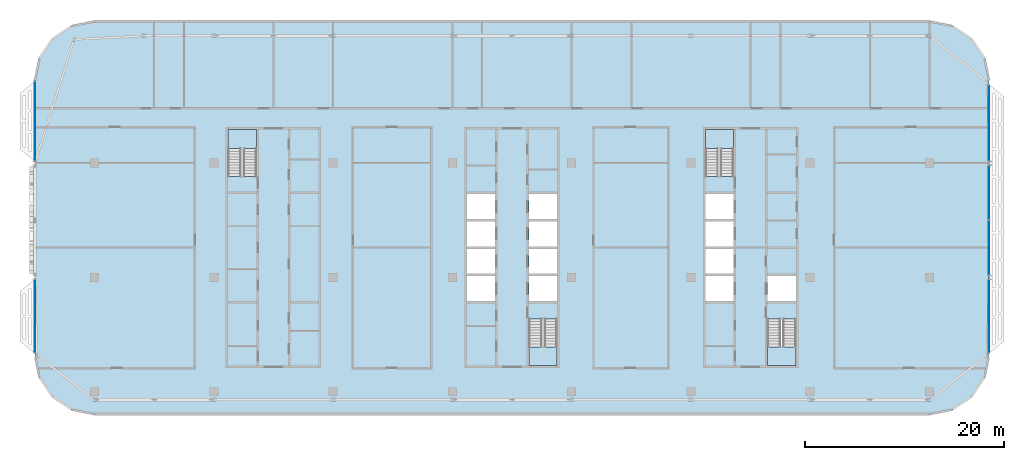
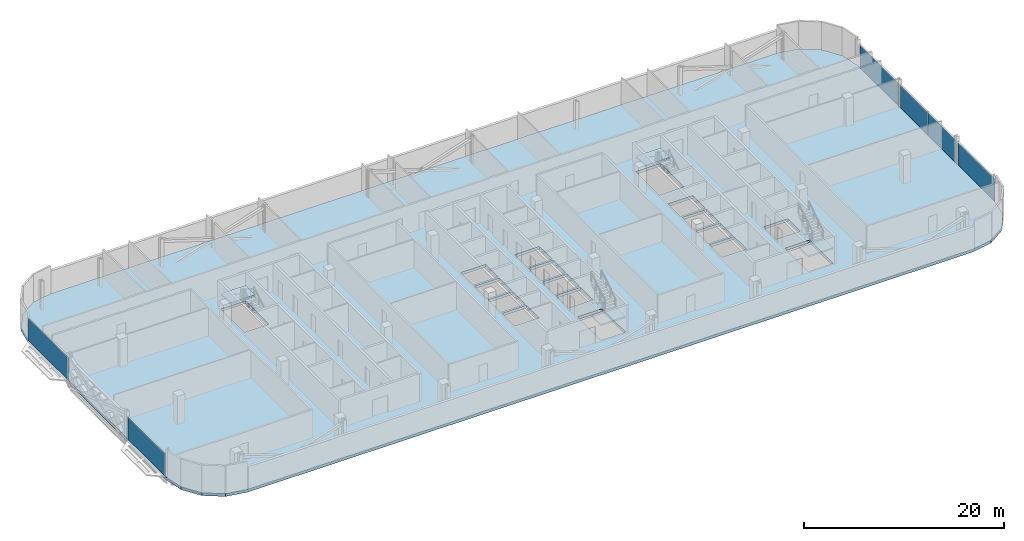
# One storey, part 12 of 28: 6 plates, 5 slabs, 9 elements without a shape of their own.
"""IFC4 building model written with IfcOpenShell, lengths in metres."""

from ifc_helpers import new_model, si_unit, direction, frame, origin, origin_2d, place, context, subcontext, project, spatial, polyline, rectangle, outline, extrude, material, layer, layer_set, type_object, element, aggregate, save


model = new_model("IFC4")

# Units and contexts
model_context = context("Model", 3, precision=1e-05, world=origin(), true_north=direction((0.0, 1.0)))
body_context = subcontext(model_context, "Body", "Model", "MODEL_VIEW")
ifc_project = project(units=[si_unit("LENGTHUNIT", "METRE"), si_unit("AREAUNIT", "SQUARE_METRE"), si_unit("VOLUMEUNIT", "CUBIC_METRE"), si_unit("PLANEANGLEUNIT", "RADIAN"), si_unit("MASSUNIT", "GRAM", prefix="KILO")], contexts=[model_context])

# Site, building, storey
site_placement = place(None, origin())
site = spatial("IfcSite", under=ifc_project, at=site_placement, CompositionType="ELEMENT")
building_placement = place(site_placement, origin())
building = spatial("IfcBuilding", under=site, at=building_placement, Name="Mahtab Terrace Research Tower", CompositionType="ELEMENT")
storey_placement = place(building_placement, frame((0.0, 0.0, 267.10009765625)))
storey = spatial("IfcBuildingStorey", under=building, at=storey_placement, Name="L65", CompositionType="ELEMENT", Elevation=267.10009765625)

# Stair, slab
ifc_material_1 = material(Name="Exit stair half-turn")
stair_type = type_object("IfcStairType", Name="Exit stair half-turn", PredefinedType="HALF_TURN_STAIR", material=ifc_material_1)
stair_1_placement = place(storey_placement, origin())
stair_1 = element("IfcStair", 1, at=stair_1_placement, inside=storey, type_object=stair_type, Name="L65 Protected exit stair ST1", PredefinedType="HALF_TURN_STAIR")
ifc_material_2 = material(Name="Concrete C40/50", Category="concrete")
ifc_layer_1 = layer(ifc_material_2, 0.199951171875)
ifc_layer_set_1 = layer_set([ifc_layer_1], Name="Exit stair landing 200")
slab_type_1 = type_object("IfcSlabType", Name="Exit stair landing 200", PredefinedType="LANDING", material=ifc_layer_set_1)
slab_1_placement = place(storey_placement, frame((0.0, 0.0, 1.699951171875)))
slab_1 = element("IfcSlab", 2, at=slab_1_placement, type_object=slab_type_1, Name="ST1 landing 1", PredefinedType="LANDING", context=body_context, shape_type="SweptSolid", body=[
    extrude(outline(polyline([(-25.699951171875, 12.97509765625), (-25.699951171875, 14.875), (-28.550048828125, 14.875), (-28.550048828125, 12.97509765625), (-25.699951171875, 12.97509765625)])), origin(), (0.0, 0.0, 1.0), 0.199951171875),
])
aggregate(stair_1, [slab_1])

stair_2_placement = place(storey_placement, origin())
stair_2 = element("IfcStair", 3, at=stair_2_placement, inside=storey, type_object=stair_type, Name="L65 Protected exit stair ST2", PredefinedType="HALF_TURN_STAIR")
slab_2_placement = place(storey_placement, frame((0.0, 0.0, 1.699951171875)))
slab_2 = element("IfcSlab", 4, at=slab_2_placement, type_object=slab_type_1, Name="ST2 landing 1", PredefinedType="LANDING", context=body_context, shape_type="SweptSolid", body=[
    extrude(outline(polyline([(1.699951171875, -6.97509765625), (1.699951171875, -8.875), (4.550048828125, -8.875), (4.550048828125, -6.97509765625), (1.699951171875, -6.97509765625)])), origin(), (0.0, 0.0, 1.0), 0.199951171875),
])
aggregate(stair_2, [slab_2])

stair_3_placement = place(storey_placement, origin())
stair_3 = element("IfcStair", 5, at=stair_3_placement, inside=storey, type_object=stair_type, Name="L65 Protected exit stair ST3", PredefinedType="HALF_TURN_STAIR")
slab_3_placement = place(storey_placement, frame((0.0, 0.0, 1.699951171875)))
slab_3 = element("IfcSlab", 6, at=slab_3_placement, type_object=slab_type_1, Name="ST3 landing 1", PredefinedType="LANDING", context=body_context, shape_type="SweptSolid", body=[
    extrude(outline(polyline([(22.300048828125, 12.97509765625), (22.300048828125, 14.875), (19.449951171875, 14.875), (19.449951171875, 12.97509765625), (22.300048828125, 12.97509765625)])), origin(), (0.0, 0.0, 1.0), 0.199951171875),
])
aggregate(stair_3, [slab_3])

stair_4_placement = place(storey_placement, origin())
stair_4 = element("IfcStair", 7, at=stair_4_placement, inside=storey, type_object=stair_type, Name="L65 Protected exit stair ST4", PredefinedType="HALF_TURN_STAIR")
slab_4_placement = place(storey_placement, frame((0.0, 0.0, 1.699951171875)))
slab_4 = element("IfcSlab", 8, at=slab_4_placement, type_object=slab_type_1, Name="ST4 landing 1", PredefinedType="LANDING", context=body_context, shape_type="SweptSolid", body=[
    extrude(outline(polyline([(25.699951171875, -6.97509765625), (25.699951171875, -8.875), (28.550048828125, -8.875), (28.550048828125, -6.97509765625), (25.699951171875, -6.97509765625)])), origin(), (0.0, 0.0, 1.0), 0.199951171875),
])
aggregate(stair_4, [slab_4])

# Curtain wall, plate
ifc_material_3 = material(Name="Office ribbon curtain wall")
curtain_wall_type = type_object("IfcCurtainWallType", Name="Office ribbon curtain wall", PredefinedType="NOTDEFINED", material=ifc_material_3)
curtain_wall_1_placement = place(storey_placement, origin())
curtain_wall_1 = element("IfcCurtainWall", 9, at=curtain_wall_1_placement, inside=storey, type_object=curtain_wall_type, Name="EN.L65.8.8", PredefinedType="NOTDEFINED")
ifc_material_4 = material(Name="Dark glazing", Category="glass")
ifc_layer_2 = layer(ifc_material_4, 0.030029296875)
ifc_layer_set_2 = layer_set([ifc_layer_2], Name="Office ribbon curtain wall glazing panel")
plate_type = type_object("IfcPlateType", Name="Office ribbon curtain wall glazing panel", PredefinedType="CURTAIN_PANEL", material=ifc_layer_set_2)
plate_1_placement = place(storey_placement, frame((-48.0, 15.719482421875, 0.0), z_axis=(0.0, 0.0, 1.0), x_axis=(0.0, -1.0, 0.0)))
plate_1 = element("IfcPlate", 10, at=plate_1_placement, type_object=plate_type, Name="CWO-8 panel 1", PredefinedType="CURTAIN_PANEL", context=body_context, shape_type="SweptSolid", body=[
    extrude(rectangle(XDim=7.943115234375, YDim=0.030029296875, at=origin_2d()), origin(), (0.0, 0.0, 1.0), 2.7529296875),
])
aggregate(curtain_wall_1, [plate_1])

curtain_wall_2_placement = place(storey_placement, origin())
curtain_wall_2 = element("IfcCurtainWall", 11, at=curtain_wall_2_placement, inside=storey, type_object=curtain_wall_type, Name="EN.L65.8.10", PredefinedType="NOTDEFINED")
plate_2_placement = place(storey_placement, frame((-48.0, -3.924072265625, 0.0), z_axis=(0.0, 0.0, 1.0), x_axis=(0.0, -1.0, 0.0)))
plate_2 = element("IfcPlate", 12, at=plate_2_placement, type_object=plate_type, Name="CWO-8 panel 1", PredefinedType="CURTAIN_PANEL", context=body_context, shape_type="SweptSolid", body=[
    extrude(rectangle(XDim=7.35205078125, YDim=0.030029296875, at=origin_2d()), origin(), (0.0, 0.0, 1.0), 2.7529296875),
])
aggregate(curtain_wall_2, [plate_2])

curtain_wall_3_placement = place(storey_placement, origin())
curtain_wall_3 = element("IfcCurtainWall", 13, at=curtain_wall_3_placement, inside=storey, type_object=curtain_wall_type, Name="EN.L65.18.20", PredefinedType="NOTDEFINED")
plate_3_placement = place(storey_placement, frame((48.0, -3.924072265625, 0.0), z_axis=(0.0, 0.0, 1.0), x_axis=(0.0, 1.0, 0.0)))
plate_3 = element("IfcPlate", 14, at=plate_3_placement, type_object=plate_type, Name="CWO-8 panel 1", PredefinedType="CURTAIN_PANEL", context=body_context, shape_type="SweptSolid", body=[
    extrude(rectangle(XDim=7.35205078125, YDim=0.030029296875, at=origin_2d()), origin(), (0.0, 0.0, 1.0), 2.7529296875),
])
aggregate(curtain_wall_3, [plate_3])

# Curtain wall, plates
curtain_wall_4_placement = place(storey_placement, origin())
curtain_wall_4 = element("IfcCurtainWall", 15, at=curtain_wall_4_placement, inside=storey, type_object=curtain_wall_type, Name="EN.L65.18.21", PredefinedType="NOTDEFINED")
plate_4_placement = place(storey_placement, frame((48.0, 2.98388671875, 0.0), z_axis=(0.0, 0.0, 1.0), x_axis=(0.0, 1.0, 0.0)))
plate_4 = element("IfcPlate", 16, at=plate_4_placement, type_object=plate_type, Name="CWO-8 panel 1", PredefinedType="CURTAIN_PANEL", context=body_context, shape_type="SweptSolid", body=[
    extrude(rectangle(XDim=5.471923828125, YDim=0.030029296875, at=origin_2d()), origin(), (0.0, 0.0, 1.0), 2.7529296875),
])
plate_5_placement = place(storey_placement, frame((48.0, 8.51611328125, 0.0), z_axis=(0.0, 0.0, 1.0), x_axis=(0.0, 1.0, 0.0)))
plate_5 = element("IfcPlate", 17, at=plate_5_placement, type_object=plate_type, Name="CWO-8 panel 2", PredefinedType="CURTAIN_PANEL", context=body_context, shape_type="SweptSolid", body=[
    extrude(rectangle(XDim=5.471923828125, YDim=0.030029296875, at=origin_2d()), origin(), (0.0, 0.0, 1.0), 2.7529296875),
])
aggregate(curtain_wall_4, [plate_4, plate_5])

# Curtain wall, plate
curtain_wall_5_placement = place(storey_placement, origin())
curtain_wall_5 = element("IfcCurtainWall", 18, at=curtain_wall_5_placement, inside=storey, type_object=curtain_wall_type, Name="EN.L65.18.22", PredefinedType="NOTDEFINED")
plate_6_placement = place(storey_placement, frame((48.0, 15.552490234375, 0.0), z_axis=(0.0, 0.0, 1.0), x_axis=(0.0, 1.0, 0.0)))
plate_6 = element("IfcPlate", 19, at=plate_6_placement, type_object=plate_type, Name="CWO-8 panel 1", PredefinedType="CURTAIN_PANEL", context=body_context, shape_type="SweptSolid", body=[
    extrude(rectangle(XDim=7.60888671875, YDim=0.030029296875, at=origin_2d()), origin(), (0.0, 0.0, 1.0), 2.7529296875),
])
aggregate(curtain_wall_5, [plate_6])

# Slab
ifc_layer_3 = layer(ifc_material_2, 0.340087890625)
ifc_layer_set_3 = layer_set([ifc_layer_3], Name="PT flat slab 340")
slab_type_2 = type_object("IfcSlabType", Name="PT flat slab 340", PredefinedType="FLOOR", material=ifc_layer_set_3)
slab_5_placement = place(storey_placement, frame((0.0, 0.0, -0.340087890625)))
element("IfcSlab", 20, at=slab_5_placement, inside=storey, type_object=slab_type_2, Name="Floor slab L65", PredefinedType="FLOOR", context=body_context, shape_type="SweptSolid", body=[
    extrude(outline(polyline([(47.54296875, 22.047119140625), (46.242919921875, 23.993896484375), (44.2958984375, 25.2939453125), (42.0, 25.7509765625), (-42.0, 25.7509765625), (-44.2958984375, 25.2939453125), (-46.242919921875, 23.993896484375), (-47.54296875, 22.047119140625), (-48.0, 19.7509765625), (-48.0, -7.7509765625), (-47.54296875, -10.047119140625), (-46.242919921875, -11.993896484375), (-44.2958984375, -13.2939453125), (-42.0, -13.7509765625), (42.0, -13.7509765625), (44.2958984375, -13.2939453125), (46.242919921875, -11.993896484375), (47.54296875, -10.047119140625), (48.0, -7.7509765625), (48.0, 19.7509765625), (47.54296875, 22.047119140625)]), holes=[polyline([(-4.550048828125, -2.375), (-4.550048828125, 0.125), (-1.699951171875, 0.125), (-1.699951171875, -2.375), (-4.550048828125, -2.375)]), polyline([(1.699951171875, -2.375), (1.699951171875, 0.125), (4.550048828125, 0.125), (4.550048828125, -2.375), (1.699951171875, -2.375)]), polyline([(-4.550048828125, 0.375), (-4.550048828125, 2.875), (-1.699951171875, 2.875), (-1.699951171875, 0.375), (-4.550048828125, 0.375)]), polyline([(1.699951171875, 0.375), (1.699951171875, 2.875), (4.550048828125, 2.875), (4.550048828125, 0.375), (1.699951171875, 0.375)]), polyline([(-4.550048828125, 3.125), (-4.550048828125, 5.625), (-1.699951171875, 5.625), (-1.699951171875, 3.125), (-4.550048828125, 3.125)]), polyline([(1.699951171875, 3.125), (1.699951171875, 5.625), (4.550048828125, 5.625), (4.550048828125, 3.125), (1.699951171875, 3.125)]), polyline([(-4.550048828125, 5.875), (-4.550048828125, 8.375), (-1.699951171875, 8.375), (-1.699951171875, 5.875), (-4.550048828125, 5.875)]), polyline([(1.699951171875, 5.875), (1.699951171875, 8.375), (4.550048828125, 8.375), (4.550048828125, 5.875), (1.699951171875, 5.875)]), polyline([(-28.550048828125, 10.177001953125), (-28.550048828125, 14.875), (-25.699951171875, 14.875), (-25.699951171875, 10.177001953125), (-28.550048828125, 10.177001953125)]), polyline([(1.699951171875, -8.875), (1.699951171875, -4.177001953125), (4.550048828125, -4.177001953125), (4.550048828125, -8.875), (1.699951171875, -8.875)]), polyline([(25.699951171875, -8.875), (25.699951171875, -4.177001953125), (28.550048828125, -4.177001953125), (28.550048828125, -8.875), (25.699951171875, -8.875)]), polyline([(19.449951171875, -2.375), (19.449951171875, 0.125), (22.300048828125, 0.125), (22.300048828125, -2.375), (19.449951171875, -2.375)]), polyline([(25.699951171875, -2.375), (25.699951171875, 0.125), (28.550048828125, 0.125), (28.550048828125, -2.375), (25.699951171875, -2.375)]), polyline([(19.449951171875, 0.375), (19.449951171875, 2.875), (22.300048828125, 2.875), (22.300048828125, 0.375), (19.449951171875, 0.375)]), polyline([(19.449951171875, 3.125), (19.449951171875, 5.625), (22.300048828125, 5.625), (22.300048828125, 3.125), (19.449951171875, 3.125)]), polyline([(19.449951171875, 8.375), (22.300048828125, 8.375), (22.300048828125, 5.875), (19.449951171875, 5.875), (19.449951171875, 8.375)]), polyline([(19.449951171875, 14.875), (22.300048828125, 14.875), (22.300048828125, 10.177001953125), (19.449951171875, 10.177001953125), (19.449951171875, 14.875)])]), origin(), (0.0, 0.0, 1.0), 0.340087890625),
])

save(model, "model.ifc")
